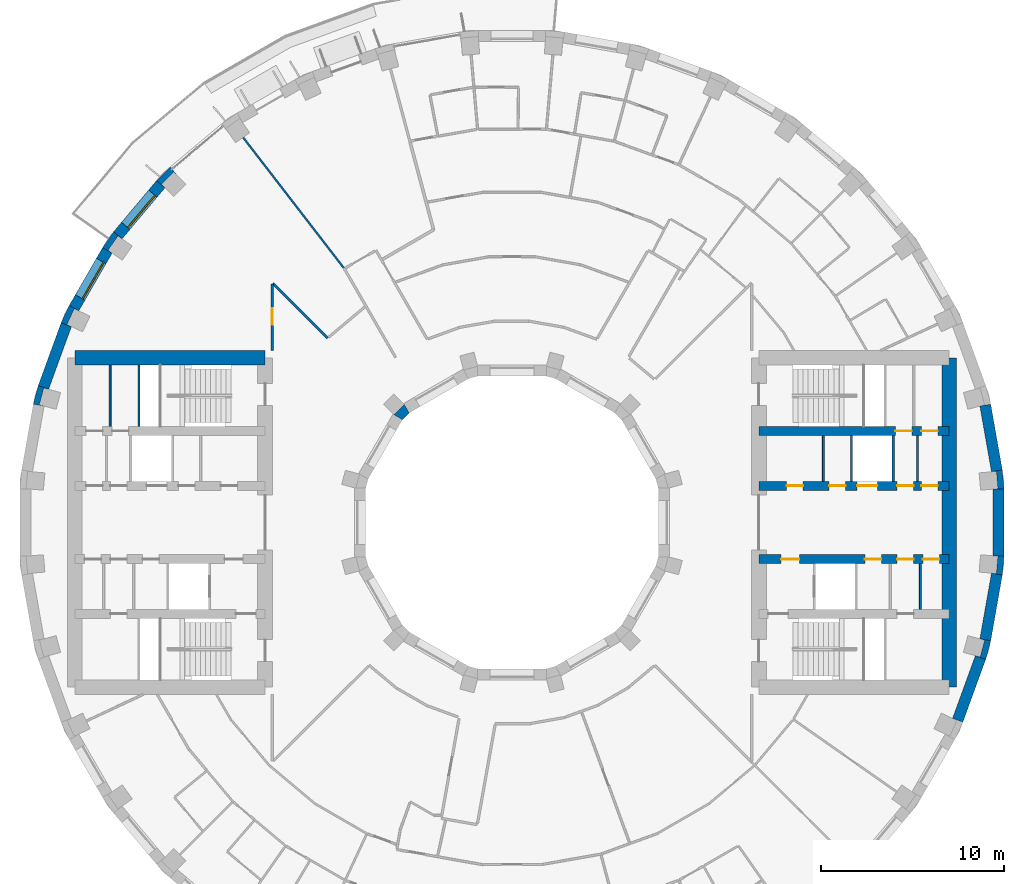
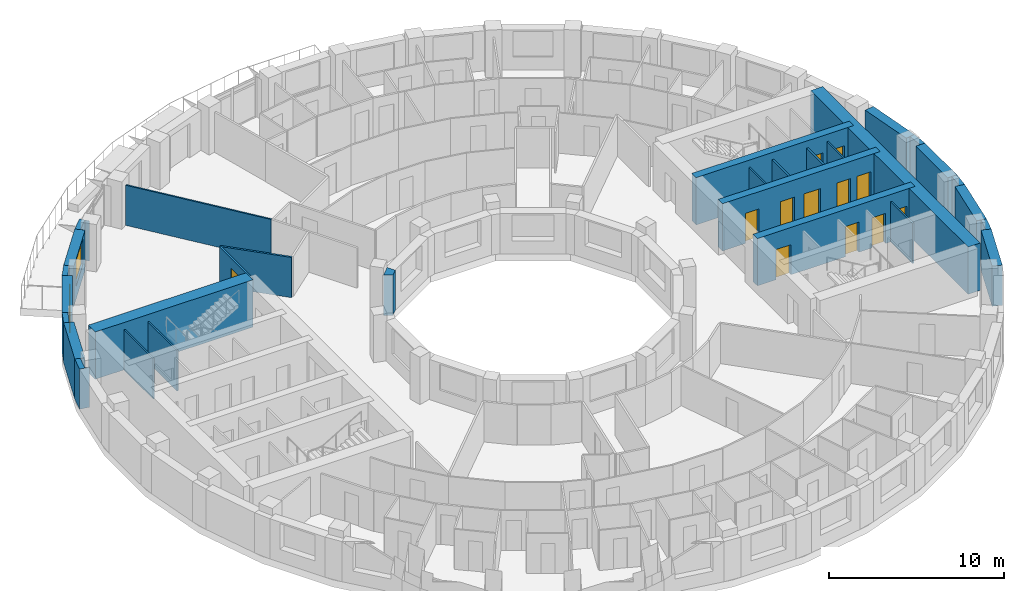
# One storey, part 9 of 14: 30 walls, 12 doors, 2 windows, 14 openings.
"""IFC4 building model written with IfcOpenShell, lengths in metres."""

from ifc_helpers import new_model, si_unit, direction, frame, frame_2d, origin, place, context, subcontext, project, spatial, polyline, rectangle, outline, extrude, material, layer, layer_set, type_object, element, fill, save


model = new_model("IFC4")

# Units and contexts
model_context = context("Model", 3, precision=1e-05, world=origin(), true_north=direction((0.0, 1.0)))
body_context = subcontext(model_context, "Body", "Model", "MODEL_VIEW")
ifc_project = project(units=[si_unit("LENGTHUNIT", "METRE"), si_unit("AREAUNIT", "SQUARE_METRE"), si_unit("VOLUMEUNIT", "CUBIC_METRE"), si_unit("PLANEANGLEUNIT", "RADIAN"), si_unit("MASSUNIT", "GRAM", prefix="KILO")], contexts=[model_context])

# Site, building, storey
site_placement = place(None, origin())
site = spatial("IfcSite", under=ifc_project, at=site_placement, CompositionType="ELEMENT")
building_placement = place(site_placement, origin())
building = spatial("IfcBuilding", under=site, at=building_placement, Name="Saqina Gate Tower", CompositionType="ELEMENT")
storey_placement = place(building_placement, frame((0.0, 0.0, 91.89990234375)))
storey = spatial("IfcBuildingStorey", under=building, at=storey_placement, Name="L25", CompositionType="ELEMENT", Elevation=91.89990234375)

# Walls
ifc_material_1 = material(Name="Brick masonry (buff)", Category="masonry")
wall_type_1 = type_object("IfcWallType", Name="BRICK PIER COPING BUFF", PredefinedType="SOLIDWALL", material=ifc_material_1)
wall_1_placement = place(storey_placement, origin())
element("IfcWall", 1, at=wall_1_placement, inside=storey, type_object=wall_type_1, Name="Pier cap L25 column 1", PredefinedType="SOLIDWALL", context=body_context, shape_type="SweptSolid", body=[
    extrude(outline(polyline([(26.805419921875, 2.87451171875), (26.214599609375, 2.770263671875), (26.482421875, 2.793701171875), (26.565185546875, 1.847412109375), (26.29736328125, 1.823974609375), (26.897216796875, 1.823974609375), (26.805419921875, 2.87451171875)])), origin(), (0.0, 0.0, 1.0), 2.800048828125),
])
wall_2_placement = place(storey_placement, origin())
element("IfcWall", 2, at=wall_2_placement, inside=storey, type_object=wall_type_1, Name="Pier cap L25 column 14", PredefinedType="SOLIDWALL", context=body_context, shape_type="SweptSolid", body=[
    extrude(outline(polyline([(-18.686279296875, 19.43212890625), (-19.43212890625, 18.686279296875), (-18.972412109375, 18.30078125), (-19.16259765625, 18.49072265625), (-18.49072265625, 19.16259765625), (-18.30078125, 18.972412109375), (-18.686279296875, 19.43212890625)])), origin(), (0.0, 0.0, 1.0), 2.800048828125),
])
wall_3_placement = place(storey_placement, origin())
element("IfcWall", 3, at=wall_3_placement, inside=storey, type_object=wall_type_1, Name="Pier cap L25 column 15", PredefinedType="SOLIDWALL", context=body_context, shape_type="SweptSolid", body=[
    extrude(outline(polyline([(-22.3818359375, 15.0283203125), (-21.862060546875, 14.728271484375), (-22.08251953125, 14.88232421875), (-21.53759765625, 15.66064453125), (-21.317138671875, 15.50634765625), (-21.77685546875, 15.89208984375), (-22.3818359375, 15.0283203125)])), origin(), (0.0, 0.0, 1.0), 2.800048828125),
])
wall_4_placement = place(storey_placement, origin())
element("IfcWall", 4, at=wall_4_placement, inside=storey, type_object=wall_type_1, Name="Pier cap L25 column 16", PredefinedType="SOLIDWALL", context=body_context, shape_type="SweptSolid", body=[
    extrude(outline(polyline([(-24.6513671875, 10.913330078125), (-24.08740234375, 10.7080078125), (-24.331298828125, 10.82177734375), (-23.9296875, 11.6826171875), (-23.68603515625, 11.569091796875), (-24.205810546875, 11.869140625), (-24.6513671875, 10.913330078125)])), origin(), (0.0, 0.0, 1.0), 2.800048828125),
])
wall_5_placement = place(storey_placement, origin())
element("IfcWall", 5, at=wall_5_placement, inside=storey, type_object=wall_type_1, Name="Pier cap L25 column 17", PredefinedType="SOLIDWALL", context=body_context, shape_type="SweptSolid", body=[
    extrude(outline(polyline([(-25.89892578125, 7.485595703125), (-26.171875, 6.466796875), (-25.5810546875, 6.36279296875), (-25.8408203125, 6.43212890625), (-25.5947265625, 7.349853515625), (-25.335205078125, 7.2802734375), (-25.89892578125, 7.485595703125)])), origin(), (0.0, 0.0, 1.0), 2.800048828125),
])
wall_6_placement = place(storey_placement, origin())
element("IfcWall", 6, at=wall_6_placement, inside=storey, type_object=wall_type_1, Name="Pier cap L25 column 35", PredefinedType="SOLIDWALL", context=body_context, shape_type="SweptSolid", body=[
    extrude(outline(polyline([(25.89892578125, -7.485595703125), (26.171875, -6.466796875), (25.5810546875, -6.36279296875), (25.8408203125, -6.43212890625), (25.5947265625, -7.349853515625), (25.335205078125, -7.2802734375), (25.89892578125, -7.485595703125)])), origin(), (0.0, 0.0, 1.0), 2.800048828125),
])
wall_7_placement = place(storey_placement, origin())
element("IfcWall", 7, at=wall_7_placement, inside=storey, type_object=wall_type_1, Name="Pier cap L25 column 36", PredefinedType="SOLIDWALL", context=body_context, shape_type="SweptSolid", body=[
    extrude(outline(polyline([(26.805419921875, -2.87451171875), (26.897216796875, -1.823974609375), (26.29736328125, -1.823974609375), (26.565185546875, -1.847412109375), (26.482421875, -2.793701171875), (26.214599609375, -2.770263671875), (26.805419921875, -2.87451171875)])), origin(), (0.0, 0.0, 1.0), 2.800048828125),
])
ifc_material_2 = material(Name="Gypsum board on steel studs", Category="steel")
ifc_layer_1 = layer(ifc_material_2, 0.10009765625)
ifc_layer_set_1 = layer_set([ifc_layer_1], Name="CORE PARTITION")
wall_type_2 = type_object("IfcWallType", Name="CORE PARTITION", PredefinedType="PARTITIONING", material=ifc_layer_set_1)
for number, where, z_axis, x_axis, name in (
    (8, (17.022216796875, 2.25, 0.0), (0.0, 0.0, 1.0), (0.0, 1.0, 0.0), "L25-CP-E01"),
    (9, (22.169921875, 2.25, 0.0), (0.0, 0.0, 1.0), (0.0, 1.0, 0.0), "L25-CP-E04"),
    (10, (22.327392578125, -4.75, 0.0), (0.0, 0.0, 1.0), (0.0, 1.0, 0.0), "L25-CP-E08"),
):
    element("IfcWall", number, at=place(storey_placement, frame(where, z_axis=z_axis, x_axis=x_axis)), inside=storey, type_object=wall_type_2, Name=name, PredefinedType="PARTITIONING", context=body_context, shape_type="SweptSolid", body=[
        extrude(rectangle(XDim=2.5, YDim=0.10009765625, at=frame_2d((1.25, 0.0))), origin(), (0.0, 0.0, 1.0), 2.800048828125),
    ])
wall_8_placement = place(storey_placement, frame((-21.969970703125, 5.25, 0.0), z_axis=(0.0, 0.0, 1.0), x_axis=(0.0, 1.0, 0.0)))
element("IfcWall", 11, at=wall_8_placement, inside=storey, type_object=wall_type_2, Name="L25-CP-W10", PredefinedType="PARTITIONING", context=body_context, shape_type="SweptSolid", body=[
    extrude(rectangle(XDim=3.35009765625, YDim=0.10009765625, at=frame_2d((1.675048828125, 0.0))), origin(), (0.0, 0.0, 1.0), 2.800048828125),
])

# Wall, opening, window
ifc_material_3 = material(Name="Brick masonry (buff)", Category="masonry")
ifc_layer_2 = layer(ifc_material_3, 0.60009765625)
ifc_layer_set_2 = layer_set([ifc_layer_2], Name="FW-BRICK-BUFF")
wall_type_3 = type_object("IfcWallType", Name="FW-BRICK-BUFF", PredefinedType="SOLIDWALL", material=ifc_layer_set_2)
wall_9_placement = place(storey_placement, frame((-19.202392578125, 18.49365234375, 0.0), z_axis=(0.0, 0.0, 1.0), x_axis=(-0.642774476932, -0.766055462616, 0.0)))
wall_9 = element("IfcWall", 12, at=wall_9_placement, inside=storey, type_object=wall_type_3, Name="Facade wall L25 facet 14", PredefinedType="SOLIDWALL", context=body_context, shape_type="SweptSolid", body=[
    extrude(rectangle(XDim=3.647705078125, YDim=0.60009765625, at=frame_2d((1.82373046875, 0.0))), origin(), (0.0, 0.0, 1.0), 2.800048828125),
])
opening_1_placement = place(wall_9_placement, frame((0.673828125, 0.0, 0.89990234375)))
opening_1 = element("IfcOpeningElement", 13, at=opening_1_placement, cuts=wall_9, Name="Opening G07-W08", PredefinedType="OPENING", context=body_context, shape_type="SweptSolid", body=[
    extrude(rectangle(XDim=2.300048828125, YDim=1.800048828125, at=frame_2d((1.14990234375, 0.89990234375))), frame((0.0, 0.31201171875, 0.0), z_axis=(0.0, -1.0, 0.0), x_axis=(1.0, 0.0, 0.0)), (0.0, 0.0, 1.0), 0.6240234375),
])
ifc_material_4 = material(Name="Aluminium glazing", Category="aluminium")
window_type = type_object("IfcWindowType", Name="WN-B", PartitioningType="SINGLE_PANEL", PredefinedType="WINDOW", material=ifc_material_4)
window_1_placement = place(opening_1_placement, origin())
window_1 = element("IfcWindow", 14, at=window_1_placement, inside=storey, type_object=window_type, Name="Window L25 facet 14", OverallHeight=1.800048828125, OverallWidth=2.300048828125, PartitioningType="SINGLE_PANEL", PredefinedType="WINDOW", context=body_context, shape_type="SweptSolid", body=[
    extrude(rectangle(XDim=2.300048828125, YDim=1.800048828125, at=frame_2d((1.14990234375, 0.89990234375))), frame((0.0, 0.179931640625, 0.0), z_axis=(0.0, -1.0, 0.0), x_axis=(1.0, 0.0, 0.0)), (0.0, 0.0, 1.0), 0.06005859375),
])
fill(opening_1, window_1)

wall_10_placement = place(storey_placement, frame((-22.1220703125, 14.878173828125, 0.0), z_axis=(0.0, 0.0, 1.0), x_axis=(-0.499954196102, -0.866051847062, 0.0)))
wall_10 = element("IfcWall", 15, at=wall_10_placement, inside=storey, type_object=wall_type_3, Name="Facade wall L25 facet 15", PredefinedType="SOLIDWALL", context=body_context, shape_type="SweptSolid", body=[
    extrude(rectangle(XDim=3.647705078125, YDim=0.60009765625, at=frame_2d((1.82373046875, 0.0))), origin(), (0.0, 0.0, 1.0), 2.800048828125),
])
opening_2_placement = place(wall_10_placement, frame((0.673828125, 0.0, 0.89990234375)))
opening_2 = element("IfcOpeningElement", 16, at=opening_2_placement, cuts=wall_10, Name="Opening G07-W09", PredefinedType="OPENING", context=body_context, shape_type="SweptSolid", body=[
    extrude(rectangle(XDim=2.300048828125, YDim=1.800048828125, at=frame_2d((1.14990234375, 0.89990234375))), frame((0.0, 0.31201171875, 0.0), z_axis=(0.0, -1.0, 0.0), x_axis=(1.0, 0.0, 0.0)), (0.0, 0.0, 1.0), 0.6240234375),
])
window_2_placement = place(opening_2_placement, origin())
window_2 = element("IfcWindow", 17, at=window_2_placement, inside=storey, type_object=window_type, Name="Window L25 facet 15", OverallHeight=1.800048828125, OverallWidth=2.300048828125, PartitioningType="SINGLE_PANEL", PredefinedType="WINDOW", context=body_context, shape_type="SweptSolid", body=[
    extrude(rectangle(XDim=2.300048828125, YDim=1.800048828125, at=frame_2d((1.14990234375, 0.89990234375))), frame((0.0, 0.179931640625, 0.0), z_axis=(0.0, -1.0, 0.0), x_axis=(1.0, 0.0, 0.0)), (0.0, 0.0, 1.0), 0.06005859375),
])
fill(opening_2, window_2)

# Walls
ifc_material_5 = material(Name="Glazed ceramic tile", Category="ceramic")
ifc_layer_3 = layer(ifc_material_5, 0.60009765625)
ifc_layer_set_3 = layer_set([ifc_layer_3], Name="FW-TILE")
wall_type_4 = type_object("IfcWallType", Name="FW-TILE", PredefinedType="SOLIDWALL", material=ifc_layer_set_3)
for number, where, z_axis, x_axis, name in (
    (18, (-24.369384765625, 10.810791015625, 0.0), (0.0, 0.0, 1.0), (-0.341990236633, -0.939703505393, 0.0), "Facade wall L25 facet 16"),
    (19, (24.369384765625, -10.810791015625, 0.0), (0.0, 0.0, 1.0), (0.341990236633, 0.939703505393, 0.0), "Facade wall L25 facet 34"),
    (20, (26.59716796875, -1.823974609375, 0.0), (0.0, 0.0, 1.0), (0.0, 1.0, 0.0), "Facade wall L25 facet 36"),
):
    element("IfcWall", number, at=place(storey_placement, frame(where, z_axis=z_axis, x_axis=x_axis)), inside=storey, type_object=wall_type_4, Name=name, PredefinedType="SOLIDWALL", context=body_context, shape_type="SweptSolid", body=[
        extrude(rectangle(XDim=3.64794921875, YDim=0.60009765625, at=frame_2d((1.823974609375, 0.0))), origin(), (0.0, 0.0, 1.0), 2.800048828125),
    ])
ifc_material_6 = material(Name="Glazed ceramic tile (dark blue)", Category="ceramic")
ifc_layer_4 = layer(ifc_material_6, 0.60009765625)
ifc_layer_set_4 = layer_set([ifc_layer_4], Name="FW-TILE-CB")
wall_type_5 = type_object("IfcWallType", Name="FW-TILE-CB", PredefinedType="SOLIDWALL", material=ifc_layer_set_4)
wall_11_placement = place(storey_placement, frame((26.510009765625, 2.822265625, 0.0), z_axis=(0.0, 0.0, 1.0), x_axis=(-0.173670796382, 0.984803764455, 0.0)))
element("IfcWall", 21, at=wall_11_placement, inside=storey, type_object=wall_type_5, Name="Facade wall L25 facet 1", PredefinedType="SOLIDWALL", context=body_context, shape_type="SweptSolid", body=[
    extrude(rectangle(XDim=3.64794921875, YDim=0.60009765625, at=frame_2d((1.823974609375, 0.0))), origin(), (0.0, 0.0, 1.0), 2.800048828125),
])
ifc_material_7 = material(Name="Glazed ceramic tile (white)", Category="ceramic")
ifc_layer_5 = layer(ifc_material_7, 0.60009765625)
ifc_layer_set_5 = layer_set([ifc_layer_5], Name="FW-TILE-WH")
wall_type_6 = type_object("IfcWallType", Name="FW-TILE-WH", PredefinedType="SOLIDWALL", material=ifc_layer_set_5)
wall_12_placement = place(storey_placement, frame((25.87646484375, -6.414794921875, 0.0), z_axis=(0.0, 0.0, 1.0), x_axis=(0.173670796382, 0.984803764455, 0.0)))
element("IfcWall", 22, at=wall_12_placement, inside=storey, type_object=wall_type_6, Name="Facade wall L25 facet 35", PredefinedType="SOLIDWALL", context=body_context, shape_type="SweptSolid", body=[
    extrude(rectangle(XDim=3.64794921875, YDim=0.60009765625, at=frame_2d((1.823974609375, 0.0))), origin(), (0.0, 0.0, 1.0), 2.800048828125),
])
ifc_material_8 = material(Name="Gypsum board on steel studs, 100 mm", Category="steel")
ifc_layer_6 = layer(ifc_material_8, 0.10009765625)
ifc_layer_set_6 = layer_set([ifc_layer_6], Name="PARTITION 100")
wall_type_7 = type_object("IfcWallType", Name="PARTITION 100", PredefinedType="PARTITIONING", material=ifc_layer_set_6)
wall_13_placement = place(storey_placement, frame((-14.6943359375, 21.042236328125, 0.0), z_axis=(0.0, 0.0, 1.0), x_axis=(0.610804913832, -0.79178112963, 0.0)))
element("IfcWall", 23, at=wall_13_placement, inside=storey, type_object=wall_type_7, Name="PARTITION PW3-15", PredefinedType="PARTITIONING", context=body_context, shape_type="SweptSolid", body=[
    extrude(rectangle(XDim=8.988525390625, YDim=0.10009765625, at=frame_2d((4.494140625, 0.0))), origin(), (0.0, 0.0, 1.0), 2.800048828125),
])
ifc_material_9 = material(Name="Gypsum board on steel studs, 125 mm, fire rated", Category="steel")
ifc_layer_7 = layer(ifc_material_9, 0.125)
ifc_layer_set_7 = layer_set([ifc_layer_7], Name="PARTITION EI 30 125")
wall_type_8 = type_object("IfcWallType", Name="PARTITION EI 30 125", PredefinedType="PARTITIONING", material=ifc_layer_set_7)
wall_14_placement = place(storey_placement, frame((-13.078857421875, 13.078857421875, 0.0), z_axis=(0.0, 0.0, 1.0), x_axis=(0.707106781187, -0.707106781187, 0.0)))
element("IfcWall", 24, at=wall_14_placement, inside=storey, type_object=wall_type_8, Name="PARTITION PW1-09", PredefinedType="PARTITIONING", context=body_context, shape_type="SweptSolid", body=[
    extrude(rectangle(XDim=4.2421875, YDim=0.125, at=frame_2d((2.12109375, 0.0))), origin(), (0.0, 0.0, 1.0), 2.800048828125),
])

# Wall, opening, door
wall_15_placement = place(storey_placement, frame((-13.10009765625, 9.39990234375, 0.0), z_axis=(0.0, 0.0, 1.0), x_axis=(0.0, 1.0, 0.0)))
wall_15 = element("IfcWall", 25, at=wall_15_placement, inside=storey, type_object=wall_type_8, Name="PARTITION PW1-52", PredefinedType="PARTITIONING", context=body_context, shape_type="SweptSolid", body=[
    extrude(rectangle(XDim=3.63671875, YDim=0.125, at=frame_2d((1.818359375, 0.0))), origin(), (0.0, 0.0, 1.0), 2.800048828125),
])
opening_3_placement = place(wall_15_placement, frame((1.3994140625, 0.0, 0.0)))
opening_3 = element("IfcOpeningElement", 26, at=opening_3_placement, cuts=wall_15, Name="Opening G07-D23", PredefinedType="OPENING", context=body_context, shape_type="SweptSolid", body=[
    extrude(rectangle(XDim=0.89990234375, YDim=2.10009765625, at=frame_2d((0.449951171875, 1.050048828125))), frame((0.0, 0.074462890625, 0.0), z_axis=(0.0, -1.0, 0.0), x_axis=(1.0, 0.0, 0.0)), (0.0, 0.0, 1.0), 0.14892578125),
])
ifc_material_10 = material(Name="Fire door leaf EI 30, 900 mm")
door_type_1 = type_object("IfcDoorType", Name="DOOR 900 EI 30", OperationType="SINGLE_SWING_LEFT", PredefinedType="DOOR", material=ifc_material_10)
door_1_placement = place(opening_3_placement, frame((0.89990234375, 0.0, 0.0), z_axis=(0.0, 0.0, 1.0), x_axis=(-1.0, 0.0, 0.0)))
door_1 = element("IfcDoor", 27, at=door_1_placement, inside=storey, type_object=door_type_1, Name="DOOR G07-D23", OperationType="SINGLE_SWING_LEFT", OverallHeight=2.10009765625, OverallWidth=0.89990234375, PredefinedType="DOOR", context=body_context, shape_type="SweptSolid", body=[
    extrude(rectangle(XDim=0.89990234375, YDim=2.10009765625, at=frame_2d((0.449951171875, 1.050048828125))), frame((0.0, 0.02490234375, 0.0), z_axis=(0.0, -1.0, 0.0), x_axis=(1.0, 0.0, 0.0)), (0.0, 0.0, 1.0), 0.050048828125),
])
fill(opening_3, door_1)

# Walls
ifc_material_11 = material(Name="Autoclaved aerated concrete block", Category="concrete")
ifc_layer_8 = layer(ifc_material_11, 0.1201171875)
ifc_layer_set_8 = layer_set([ifc_layer_8], Name="SHAFT PARTITION")
wall_type_9 = type_object("IfcWallType", Name="SHAFT PARTITION", PredefinedType="PARTITIONING", material=ifc_layer_set_8)
for number, where, z_axis, x_axis, name in (
    (28, (18.56005859375, 2.25, 0.0), (0.0, 0.0, 1.0), (0.0, 1.0, 0.0), "L25-CP-E02"),
    (29, (20.840087890625, 2.25, 0.0), (0.0, 0.0, 1.0), (0.0, 1.0, 0.0), "L25-CP-E03"),
):
    element("IfcWall", number, at=place(storey_placement, frame(where, z_axis=z_axis, x_axis=x_axis)), inside=storey, type_object=wall_type_9, Name=name, PredefinedType="PARTITIONING", context=body_context, shape_type="SweptSolid", body=[
        extrude(rectangle(XDim=2.5, YDim=0.1201171875, at=frame_2d((1.25, 0.0))), origin(), (0.0, 0.0, 1.0), 2.800048828125),
    ])
ifc_material_12 = material(Name="Autoclaved aerated concrete block", Category="concrete")
ifc_layer_9 = layer(ifc_material_12, 0.10009765625)
ifc_layer_set_9 = layer_set([ifc_layer_9], Name="STAIR ENCLOSURE WALL")
wall_type_10 = type_object("IfcWallType", Name="STAIR ENCLOSURE WALL", PredefinedType="PARTITIONING", material=ifc_layer_set_9)
wall_16_placement = place(storey_placement, frame((-20.389892578125, 5.25, 0.0), z_axis=(0.0, 0.0, 1.0), x_axis=(0.0, 1.0, 0.0)))
element("IfcWall", 30, at=wall_16_placement, inside=storey, type_object=wall_type_10, Name="L25-CP-W09", PredefinedType="PARTITIONING", context=body_context, shape_type="SweptSolid", body=[
    extrude(rectangle(XDim=3.35009765625, YDim=0.10009765625, at=frame_2d((1.675048828125, 0.0))), origin(), (0.0, 0.0, 1.0), 2.800048828125),
])

# Wall, openings, doors
ifc_material_13 = material(Name="Concrete C70/85", Category="concrete")
ifc_layer_10 = layer(ifc_material_13, 0.5)
ifc_layer_set_10 = layer_set([ifc_layer_10], Name="Concrete C70/85")
wall_type_11 = type_object("IfcWallType", Name="STR-CORE WALL-B-I", PredefinedType="SHEAR", material=ifc_layer_set_10)
wall_17_placement = place(storey_placement, frame((13.5, 5.0, 0.0), z_axis=(0.0, 0.0, 1.0), x_axis=(1.0, 0.0, 0.0)))
wall_17 = element("IfcWall", 31, at=wall_17_placement, inside=storey, type_object=wall_type_11, Name="CORE WALL L25 E-X1", PredefinedType="SHEAR", context=body_context, shape_type="SweptSolid", body=[
    extrude(rectangle(XDim=10.39990234375, YDim=0.5, at=frame_2d((5.199951171875, 0.0))), origin(), (0.0, 0.0, 1.0), 3.300048828125),
])
opening_4_placement = place(wall_17_placement, frame((7.455078125, 0.0, 0.0)))
opening_4 = element("IfcOpeningElement", 32, at=opening_4_placement, cuts=wall_17, Name="Opening G07-D98", PredefinedType="OPENING", context=body_context, shape_type="SweptSolid", body=[
    extrude(rectangle(XDim=0.89990234375, YDim=2.10009765625, at=frame_2d((0.449951171875, 1.050048828125))), frame((0.0, 0.261962890625, 0.0), z_axis=(0.0, -1.0, 0.0), x_axis=(1.0, 0.0, 0.0)), (0.0, 0.0, 1.0), 0.52392578125),
])
opening_5_placement = place(wall_17_placement, frame((8.885009765625, 0.0, 0.0)))
opening_5 = element("IfcOpeningElement", 33, at=opening_5_placement, cuts=wall_17, Name="Opening G07-D99", PredefinedType="OPENING", context=body_context, shape_type="SweptSolid", body=[
    extrude(rectangle(XDim=0.89990234375, YDim=2.10009765625, at=frame_2d((0.449951171875, 1.050048828125))), frame((0.0, 0.261962890625, 0.0), z_axis=(0.0, -1.0, 0.0), x_axis=(1.0, 0.0, 0.0)), (0.0, 0.0, 1.0), 0.52392578125),
])
ifc_material_14 = material(Name="Steel-framed fire door leaf, EI 60", Category="steel")
door_type_2 = type_object("IfcDoorType", Name="SERVICE ROOM DOOR 900", OperationType="SINGLE_SWING_LEFT", PredefinedType="DOOR", material=ifc_material_14)
door_2_placement = place(opening_4_placement, origin())
door_2 = element("IfcDoor", 34, at=door_2_placement, inside=storey, type_object=door_type_2, Name="L25-CD-E09", OperationType="SINGLE_SWING_RIGHT", OverallHeight=2.10009765625, OverallWidth=0.89990234375, PredefinedType="DOOR", context=body_context, shape_type="SweptSolid", body=[
    extrude(rectangle(XDim=0.89990234375, YDim=2.10009765625, at=frame_2d((0.449951171875, 1.050048828125))), frame((0.0, 0.02490234375, 0.0), z_axis=(0.0, -1.0, 0.0), x_axis=(1.0, 0.0, 0.0)), (0.0, 0.0, 1.0), 0.050048828125),
])
fill(opening_4, door_2)
door_3_placement = place(opening_5_placement, origin())
door_3 = element("IfcDoor", 35, at=door_3_placement, inside=storey, type_object=door_type_2, Name="L25-CD-E10", OperationType="SINGLE_SWING_RIGHT", OverallHeight=2.10009765625, OverallWidth=0.89990234375, PredefinedType="DOOR", context=body_context, shape_type="SweptSolid", body=[
    extrude(rectangle(XDim=0.89990234375, YDim=2.10009765625, at=frame_2d((0.449951171875, 1.050048828125))), frame((0.0, 0.02490234375, 0.0), z_axis=(0.0, -1.0, 0.0), x_axis=(1.0, 0.0, 0.0)), (0.0, 0.0, 1.0), 0.050048828125),
])
fill(opening_5, door_3)

wall_18_placement = place(storey_placement, frame((13.5, 2.0, 0.0), z_axis=(0.0, 0.0, 1.0), x_axis=(1.0, 0.0, 0.0)))
wall_18 = element("IfcWall", 36, at=wall_18_placement, inside=storey, type_object=wall_type_11, Name="CORE WALL L25 E-L1", PredefinedType="SHEAR", context=body_context, shape_type="SweptSolid", body=[
    extrude(rectangle(XDim=10.39990234375, YDim=0.5, at=frame_2d((5.199951171875, 0.0))), origin(), (0.0, 0.0, 1.0), 3.300048828125),
])
opening_6_placement = place(wall_18_placement, frame((5.3701171875, 0.0, 0.0)))
opening_6 = element("IfcOpeningElement", 37, at=opening_6_placement, cuts=wall_18, Name="Opening G07-LD1", PredefinedType="OPENING", context=body_context, shape_type="SweptSolid", body=[
    extrude(rectangle(XDim=1.10009765625, YDim=2.10009765625, at=frame_2d((0.550048828125, 1.050048828125))), frame((0.0, 0.261962890625, 0.0), z_axis=(0.0, -1.0, 0.0), x_axis=(1.0, 0.0, 0.0)), (0.0, 0.0, 1.0), 0.52392578125),
])
opening_7_placement = place(wall_18_placement, frame((1.510986328125, 0.0, 0.0)))
opening_7 = element("IfcOpeningElement", 38, at=opening_7_placement, cuts=wall_18, Name="Opening G07-D90", PredefinedType="OPENING", context=body_context, shape_type="SweptSolid", body=[
    extrude(rectangle(XDim=0.89990234375, YDim=2.10009765625, at=frame_2d((0.449951171875, 1.050048828125))), frame((0.0, 0.261962890625, 0.0), z_axis=(0.0, -1.0, 0.0), x_axis=(1.0, 0.0, 0.0)), (0.0, 0.0, 1.0), 0.52392578125),
])
opening_8_placement = place(wall_18_placement, frame((3.841064453125, 0.0, 0.0)))
opening_8 = element("IfcOpeningElement", 39, at=opening_8_placement, cuts=wall_18, Name="Opening G07-D91", PredefinedType="OPENING", context=body_context, shape_type="SweptSolid", body=[
    extrude(rectangle(XDim=0.89990234375, YDim=2.10009765625, at=frame_2d((0.449951171875, 1.050048828125))), frame((0.0, 0.261962890625, 0.0), z_axis=(0.0, -1.0, 0.0), x_axis=(1.0, 0.0, 0.0)), (0.0, 0.0, 1.0), 0.52392578125),
])
opening_9_placement = place(wall_18_placement, frame((7.554931640625, 0.0, 0.0)))
opening_9 = element("IfcOpeningElement", 40, at=opening_9_placement, cuts=wall_18, Name="Opening G07-D92", PredefinedType="OPENING", context=body_context, shape_type="SweptSolid", body=[
    extrude(rectangle(XDim=0.89990234375, YDim=2.10009765625, at=frame_2d((0.449951171875, 1.050048828125))), frame((0.0, 0.261962890625, 0.0), z_axis=(0.0, -1.0, 0.0), x_axis=(1.0, 0.0, 0.0)), (0.0, 0.0, 1.0), 0.52392578125),
])
opening_10_placement = place(wall_18_placement, frame((8.885009765625, 0.0, 0.0)))
opening_10 = element("IfcOpeningElement", 41, at=opening_10_placement, cuts=wall_18, Name="Opening G07-D93", PredefinedType="OPENING", context=body_context, shape_type="SweptSolid", body=[
    extrude(rectangle(XDim=0.89990234375, YDim=2.10009765625, at=frame_2d((0.449951171875, 1.050048828125))), frame((0.0, 0.261962890625, 0.0), z_axis=(0.0, -1.0, 0.0), x_axis=(1.0, 0.0, 0.0)), (0.0, 0.0, 1.0), 0.52392578125),
])
ifc_material_15 = material(Name="Stainless steel", Category="steel")
door_type_3 = type_object("IfcDoorType", Name="LANDING DOOR", OperationType="DOUBLE_DOOR_SLIDING", PredefinedType="DOOR", material=ifc_material_15)
door_4_placement = place(opening_6_placement, origin())
door_4 = element("IfcDoor", 42, at=door_4_placement, inside=storey, type_object=door_type_3, Name="LANDING DOOR MR1", OperationType="DOUBLE_DOOR_SLIDING", OverallHeight=2.10009765625, OverallWidth=1.10009765625, PredefinedType="DOOR", context=body_context, shape_type="SweptSolid", body=[
    extrude(rectangle(XDim=1.10009765625, YDim=2.10009765625, at=frame_2d((0.550048828125, 1.050048828125))), frame((0.0, 0.02490234375, 0.0), z_axis=(0.0, -1.0, 0.0), x_axis=(1.0, 0.0, 0.0)), (0.0, 0.0, 1.0), 0.050048828125),
])
fill(opening_6, door_4)
door_5_placement = place(opening_7_placement, origin())
door_5 = element("IfcDoor", 43, at=door_5_placement, inside=storey, type_object=door_type_2, Name="L25-CD-E01", OperationType="SINGLE_SWING_LEFT", OverallHeight=2.10009765625, OverallWidth=0.89990234375, PredefinedType="DOOR", context=body_context, shape_type="SweptSolid", body=[
    extrude(rectangle(XDim=0.89990234375, YDim=2.10009765625, at=frame_2d((0.449951171875, 1.050048828125))), frame((0.0, 0.02490234375, 0.0), z_axis=(0.0, -1.0, 0.0), x_axis=(1.0, 0.0, 0.0)), (0.0, 0.0, 1.0), 0.050048828125),
])
fill(opening_7, door_5)
door_6_placement = place(opening_8_placement, origin())
door_6 = element("IfcDoor", 44, at=door_6_placement, inside=storey, type_object=door_type_2, Name="L25-CD-E02", OperationType="SINGLE_SWING_RIGHT", OverallHeight=2.10009765625, OverallWidth=0.89990234375, PredefinedType="DOOR", context=body_context, shape_type="SweptSolid", body=[
    extrude(rectangle(XDim=0.89990234375, YDim=2.10009765625, at=frame_2d((0.449951171875, 1.050048828125))), frame((0.0, 0.02490234375, 0.0), z_axis=(0.0, -1.0, 0.0), x_axis=(1.0, 0.0, 0.0)), (0.0, 0.0, 1.0), 0.050048828125),
])
fill(opening_8, door_6)
door_7_placement = place(opening_9_placement, origin())
door_7 = element("IfcDoor", 45, at=door_7_placement, inside=storey, type_object=door_type_2, Name="L25-CD-E03", OperationType="SINGLE_SWING_LEFT", OverallHeight=2.10009765625, OverallWidth=0.89990234375, PredefinedType="DOOR", context=body_context, shape_type="SweptSolid", body=[
    extrude(rectangle(XDim=0.89990234375, YDim=2.10009765625, at=frame_2d((0.449951171875, 1.050048828125))), frame((0.0, 0.02490234375, 0.0), z_axis=(0.0, -1.0, 0.0), x_axis=(1.0, 0.0, 0.0)), (0.0, 0.0, 1.0), 0.050048828125),
])
fill(opening_9, door_7)
door_8_placement = place(opening_10_placement, origin())
door_8 = element("IfcDoor", 46, at=door_8_placement, inside=storey, type_object=door_type_2, Name="L25-CD-E04", OperationType="SINGLE_SWING_RIGHT", OverallHeight=2.10009765625, OverallWidth=0.89990234375, PredefinedType="DOOR", context=body_context, shape_type="SweptSolid", body=[
    extrude(rectangle(XDim=0.89990234375, YDim=2.10009765625, at=frame_2d((0.449951171875, 1.050048828125))), frame((0.0, 0.02490234375, 0.0), z_axis=(0.0, -1.0, 0.0), x_axis=(1.0, 0.0, 0.0)), (0.0, 0.0, 1.0), 0.050048828125),
])
fill(opening_10, door_8)

wall_19_placement = place(storey_placement, frame((13.5, -2.0, 0.0), z_axis=(0.0, 0.0, 1.0), x_axis=(1.0, 0.0, 0.0)))
wall_19 = element("IfcWall", 47, at=wall_19_placement, inside=storey, type_object=wall_type_11, Name="CORE WALL L25 E-L2", PredefinedType="SHEAR", context=body_context, shape_type="SweptSolid", body=[
    extrude(rectangle(XDim=10.39990234375, YDim=0.5, at=frame_2d((5.199951171875, 0.0))), origin(), (0.0, 0.0, 1.0), 3.300048828125),
])
opening_11_placement = place(wall_19_placement, frame((1.215087890625, 0.0, 0.0)))
opening_11 = element("IfcOpeningElement", 48, at=opening_11_placement, cuts=wall_19, Name="Opening G07-D94", PredefinedType="OPENING", context=body_context, shape_type="SweptSolid", body=[
    extrude(rectangle(XDim=1.0, YDim=2.10009765625, at=frame_2d((0.5, 1.050048828125))), frame((0.0, 0.261962890625, 0.0), z_axis=(0.0, -1.0, 0.0), x_axis=(1.0, 0.0, 0.0)), (0.0, 0.0, 1.0), 0.52392578125),
])
opening_12_placement = place(wall_19_placement, frame((5.798095703125, 0.0, 0.0)))
opening_12 = element("IfcOpeningElement", 49, at=opening_12_placement, cuts=wall_19, Name="Opening G07-D95", PredefinedType="OPENING", context=body_context, shape_type="SweptSolid", body=[
    extrude(rectangle(XDim=0.89990234375, YDim=2.10009765625, at=frame_2d((0.449951171875, 1.050048828125))), frame((0.0, 0.261962890625, 0.0), z_axis=(0.0, -1.0, 0.0), x_axis=(1.0, 0.0, 0.0)), (0.0, 0.0, 1.0), 0.52392578125),
])
opening_13_placement = place(wall_19_placement, frame((7.556640625, 0.0, 0.0)))
opening_13 = element("IfcOpeningElement", 50, at=opening_13_placement, cuts=wall_19, Name="Opening G07-D96", PredefinedType="OPENING", context=body_context, shape_type="SweptSolid", body=[
    extrude(rectangle(XDim=0.89990234375, YDim=2.10009765625, at=frame_2d((0.449951171875, 1.050048828125))), frame((0.0, 0.261962890625, 0.0), z_axis=(0.0, -1.0, 0.0), x_axis=(1.0, 0.0, 0.0)), (0.0, 0.0, 1.0), 0.52392578125),
])
opening_14_placement = place(wall_19_placement, frame((8.9638671875, 0.0, 0.0)))
opening_14 = element("IfcOpeningElement", 51, at=opening_14_placement, cuts=wall_19, Name="Opening G07-D97", PredefinedType="OPENING", context=body_context, shape_type="SweptSolid", body=[
    extrude(rectangle(XDim=0.89990234375, YDim=2.10009765625, at=frame_2d((0.449951171875, 1.050048828125))), frame((0.0, 0.261962890625, 0.0), z_axis=(0.0, -1.0, 0.0), x_axis=(1.0, 0.0, 0.0)), (0.0, 0.0, 1.0), 0.52392578125),
])
ifc_material_16 = material(Name="Steel", Category="steel")
door_type_4 = type_object("IfcDoorType", Name="FIRE LOBBY DOOR EI 60", OperationType="SINGLE_SWING_LEFT", PredefinedType="DOOR", material=ifc_material_16)
door_9_placement = place(opening_11_placement, origin())
door_9 = element("IfcDoor", 52, at=door_9_placement, inside=storey, type_object=door_type_4, Name="L25-CD-E05", OperationType="SINGLE_SWING_LEFT", OverallHeight=2.10009765625, OverallWidth=1.0, PredefinedType="DOOR", context=body_context, shape_type="SweptSolid", body=[
    extrude(rectangle(XDim=1.0, YDim=2.10009765625, at=frame_2d((0.5, 1.050048828125))), frame((0.0, 0.02490234375, 0.0), z_axis=(0.0, -1.0, 0.0), x_axis=(1.0, 0.0, 0.0)), (0.0, 0.0, 1.0), 0.050048828125),
])
fill(opening_11, door_9)
door_10_placement = place(opening_12_placement, frame((0.89990234375, 0.0, 0.0), z_axis=(0.0, 0.0, 1.0), x_axis=(-1.0, 0.0, 0.0)))
door_10 = element("IfcDoor", 53, at=door_10_placement, inside=storey, type_object=door_type_2, Name="L25-CD-E06", OperationType="SINGLE_SWING_RIGHT", OverallHeight=2.10009765625, OverallWidth=0.89990234375, PredefinedType="DOOR", context=body_context, shape_type="SweptSolid", body=[
    extrude(rectangle(XDim=0.89990234375, YDim=2.10009765625, at=frame_2d((0.449951171875, 1.050048828125))), frame((0.0, 0.02490234375, 0.0), z_axis=(0.0, -1.0, 0.0), x_axis=(1.0, 0.0, 0.0)), (0.0, 0.0, 1.0), 0.050048828125),
])
fill(opening_12, door_10)
door_11_placement = place(opening_13_placement, frame((0.89990234375, 0.0, 0.0), z_axis=(0.0, 0.0, 1.0), x_axis=(-1.0, 0.0, 0.0)))
door_11 = element("IfcDoor", 54, at=door_11_placement, inside=storey, type_object=door_type_2, Name="L25-CD-E07", OperationType="SINGLE_SWING_LEFT", OverallHeight=2.10009765625, OverallWidth=0.89990234375, PredefinedType="DOOR", context=body_context, shape_type="SweptSolid", body=[
    extrude(rectangle(XDim=0.89990234375, YDim=2.10009765625, at=frame_2d((0.449951171875, 1.050048828125))), frame((0.0, 0.02490234375, 0.0), z_axis=(0.0, -1.0, 0.0), x_axis=(1.0, 0.0, 0.0)), (0.0, 0.0, 1.0), 0.050048828125),
])
fill(opening_13, door_11)
door_12_placement = place(opening_14_placement, frame((0.89990234375, 0.0, 0.0), z_axis=(0.0, 0.0, 1.0), x_axis=(-1.0, 0.0, 0.0)))
door_12 = element("IfcDoor", 55, at=door_12_placement, inside=storey, type_object=door_type_2, Name="L25-CD-E08", OperationType="SINGLE_SWING_LEFT", OverallHeight=2.10009765625, OverallWidth=0.89990234375, PredefinedType="DOOR", context=body_context, shape_type="SweptSolid", body=[
    extrude(rectangle(XDim=0.89990234375, YDim=2.10009765625, at=frame_2d((0.449951171875, 1.050048828125))), frame((0.0, 0.02490234375, 0.0), z_axis=(0.0, -1.0, 0.0), x_axis=(1.0, 0.0, 0.0)), (0.0, 0.0, 1.0), 0.050048828125),
])
fill(opening_14, door_12)

# Walls
ifc_material_17 = material(Name="Concrete C70/85", Category="concrete")
ifc_layer_11 = layer(ifc_material_17, 0.800048828125)
ifc_layer_set_11 = layer_set([ifc_layer_11], Name="Concrete C70/85")
wall_type_12 = type_object("IfcWallType", Name="STR-CORE WALL-B-O", PredefinedType="SHEAR", material=ifc_layer_set_11)
wall_20_placement = place(storey_placement, frame((23.89990234375, -9.0, 0.0), z_axis=(0.0, 0.0, 1.0), x_axis=(0.0, 1.0, 0.0)))
element("IfcWall", 56, at=wall_20_placement, inside=storey, type_object=wall_type_12, Name="CORE WALL L25 E-W2", PredefinedType="SHEAR", context=body_context, shape_type="SweptSolid", body=[
    extrude(rectangle(XDim=18.0, YDim=0.800048828125, at=frame_2d((9.0, 0.0))), origin(), (0.0, 0.0, 1.0), 3.300048828125),
])
wall_21_placement = place(storey_placement, frame((-13.5, 9.0, 0.0), z_axis=(0.0, 0.0, 1.0), x_axis=(-1.0, 0.0, 0.0)))
element("IfcWall", 57, at=wall_21_placement, inside=storey, type_object=wall_type_12, Name="CORE WALL L25 W-NE", PredefinedType="SHEAR", context=body_context, shape_type="SweptSolid", body=[
    extrude(rectangle(XDim=10.39990234375, YDim=0.800048828125, at=frame_2d((5.199951171875, 0.0))), origin(), (0.0, 0.0, 1.0), 3.300048828125),
])
ifc_material_18 = material(Name="Glazed ceramic tile", Category="ceramic")
wall_type_13 = type_object("IfcWallType", Name="TILE PIER COPING", PredefinedType="SOLIDWALL", material=ifc_material_18)
wall_22_placement = place(storey_placement, origin())
element("IfcWall", 58, at=wall_22_placement, inside=storey, type_object=wall_type_13, Name="Well pier cap L25 column 5", PredefinedType="SOLIDWALL", context=body_context, shape_type="SweptSolid", body=[
    extrude(outline(polyline([(-6.45751953125, 5.891845703125), (-5.991455078125, 5.622802734375), (-5.622802734375, 5.991455078125), (-5.891845703125, 6.45751953125), (-6.45751953125, 5.891845703125)])), origin(), (0.0, 0.0, 1.0), 2.800048828125),
])

save(model, "model.ifc")
